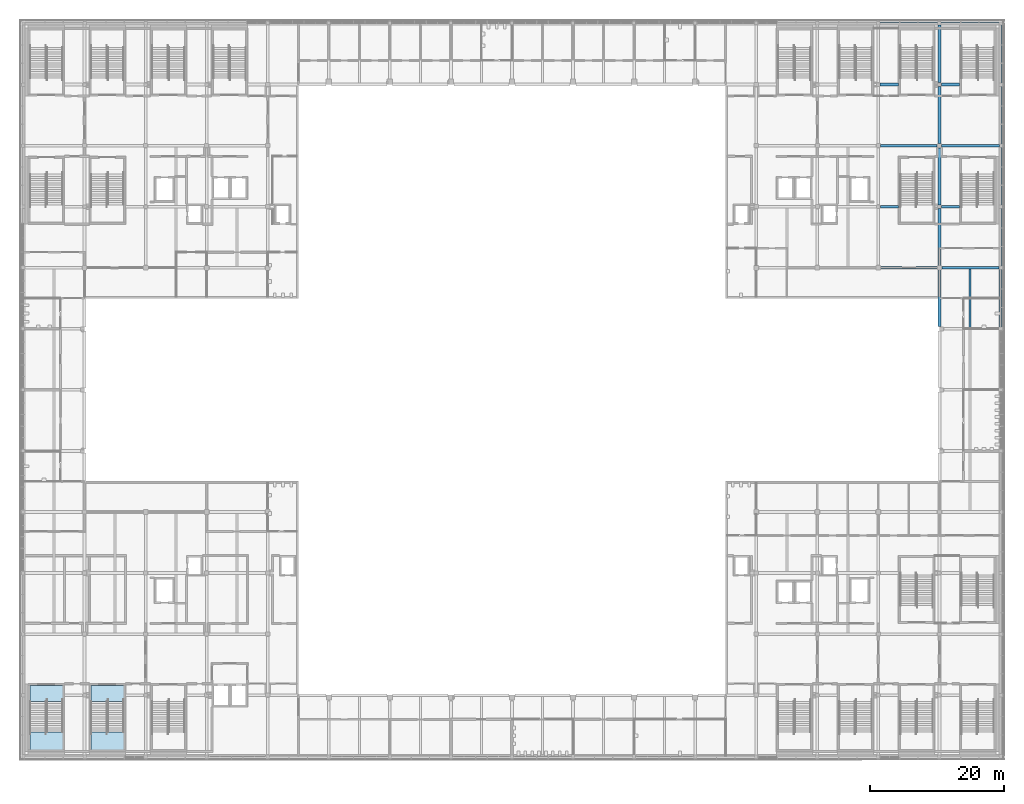
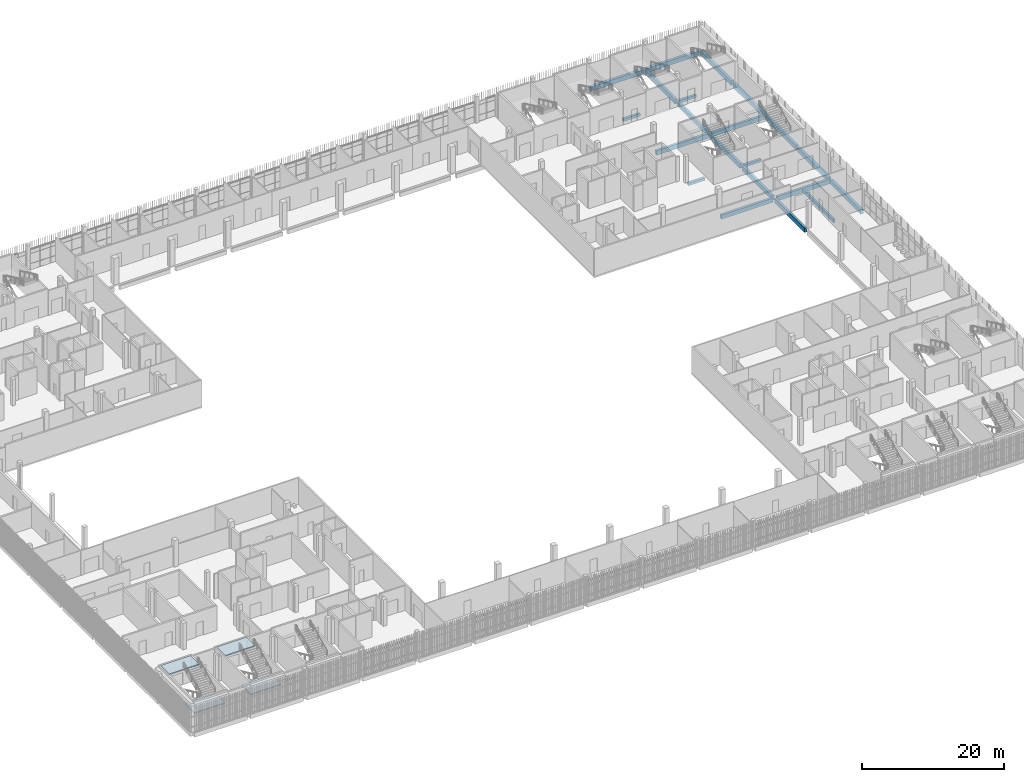
# One storey, part 56 of 124: 21 beams, 4 slabs, 2 elements without a shape of their own.
"""IFC4 building model written with IfcOpenShell, lengths in metres."""

from ifc_helpers import new_model, si_unit, direction, frame, origin, origin_2d, place, context, subcontext, project, spatial, polyline, rectangle, outline, extrude, material, layer, layer_set, material_profile, profile_set, type_object, element, aggregate, save


model = new_model("IFC4")

# Units and contexts
model_context = context("Model", 3, precision=1e-05, world=origin(), true_north=direction((0.0, 1.0)))
body_context = subcontext(model_context, "Body", "Model", "MODEL_VIEW")
ifc_project = project(units=[si_unit("LENGTHUNIT", "METRE"), si_unit("AREAUNIT", "SQUARE_METRE"), si_unit("VOLUMEUNIT", "CUBIC_METRE"), si_unit("PLANEANGLEUNIT", "RADIAN"), si_unit("MASSUNIT", "GRAM", prefix="KILO")], contexts=[model_context])

# Site, building, storey
site_placement = place(None, origin())
site = spatial("IfcSite", under=ifc_project, at=site_placement, CompositionType="ELEMENT")
building_placement = place(site_placement, origin())
building = spatial("IfcBuilding", under=site, at=building_placement, Name="Shirokan Park Arena", CompositionType="ELEMENT")
storey_placement = place(building_placement, frame((0.0, 0.0, 20.02001953125)))
storey = spatial("IfcBuildingStorey", under=building, at=storey_placement, Name="L04", CompositionType="ELEMENT", Elevation=20.02001953125)

# Beams
ifc_material_1 = material(Name="Concrete C35", Category="concrete")
ifc_material_profile_1 = material_profile(ifc_material_1, rectangle(XDim=0.39990234375, YDim=0.699951171875, at=origin_2d()), Name="400x700")
ifc_profile_set_1 = profile_set([ifc_material_profile_1], Name="Concrete C35")
beam_type_1 = type_object("IfcBeamType", Name="RC girder 400x700", PredefinedType="BEAM", material=ifc_profile_set_1)
beam_1_placement = place(storey_placement, frame((127.800048828125, 72.800048828125, -0.60009765625), z_axis=(1.0, 0.0, 0.0), x_axis=(0.0, 1.0, 0.0)))
element("IfcBeam", 1, at=beam_1_placement, inside=storey, type_object=beam_type_1, Name="Girder 15J-16J L04", PredefinedType="BEAM", context=body_context, shape_type="SweptSolid", body=[
    extrude(rectangle(XDim=0.39990234375, YDim=0.699951171875, at=origin_2d()), origin(), (0.0, 0.0, 1.0), 8.349853515625),
])
ifc_material_profile_2 = material_profile(ifc_material_1, rectangle(XDim=0.39990234375, YDim=0.75, at=origin_2d()), Name="400x750")
ifc_profile_set_2 = profile_set([ifc_material_profile_2], Name="Concrete C35")
beam_type_2 = type_object("IfcBeamType", Name="RC girder 400x750", PredefinedType="BEAM", material=ifc_profile_set_2)
beam_2_placement = place(storey_placement, frame((127.75, 91.0, -0.625), z_axis=(1.0, 0.0, 0.0), x_axis=(0.0, 1.0, 0.0)))
element("IfcBeam", 2, at=beam_2_placement, inside=storey, type_object=beam_type_2, Name="Girder 15L-16L L04", PredefinedType="BEAM", context=body_context, shape_type="SweptSolid", body=[
    extrude(rectangle(XDim=0.39990234375, YDim=0.75, at=origin_2d()), origin(), (0.0, 0.0, 1.0), 8.4248046875),
])
beam_3_placement = place(storey_placement, frame((136.85009765625, 72.800048828125, -0.625), z_axis=(1.0, 0.0, 0.0), x_axis=(0.0, 1.0, 0.0)))
element("IfcBeam", 3, at=beam_3_placement, inside=storey, type_object=beam_type_2, Name="Girder 16J-17J L04", PredefinedType="BEAM", context=body_context, shape_type="SweptSolid", body=[
    extrude(rectangle(XDim=0.39990234375, YDim=0.75, at=origin_2d()), origin(), (0.0, 0.0, 1.0), 8.52490234375),
])
beam_4_placement = place(storey_placement, frame((136.8251953125, 91.0, -0.625), z_axis=(1.0, 0.0, 0.0), x_axis=(0.0, 1.0, 0.0)))
element("IfcBeam", 4, at=beam_4_placement, inside=storey, type_object=beam_type_2, Name="Girder 16L-17L L04", PredefinedType="BEAM", context=body_context, shape_type="SweptSolid", body=[
    extrude(rectangle(XDim=0.39990234375, YDim=0.75, at=origin_2d()), origin(), (0.0, 0.0, 1.0), 8.599609375),
])
beam_5_placement = place(storey_placement, frame((136.5, 64.025146484375, -0.625), z_axis=(0.0, 1.0, 0.0), x_axis=(-1.0, 0.0, 0.0)))
element("IfcBeam", 5, at=beam_5_placement, inside=storey, type_object=beam_type_2, Name="Girder 16H-16J L04", PredefinedType="BEAM", context=body_context, shape_type="SweptSolid", body=[
    extrude(rectangle(XDim=0.39990234375, YDim=0.75, at=origin_2d()), origin(), (0.0, 0.0, 1.0), 8.4248046875),
])
beam_6_placement = place(storey_placement, frame((136.5, 73.150146484375, -0.625), z_axis=(0.0, 1.0, 0.0), x_axis=(-1.0, 0.0, 0.0)))
element("IfcBeam", 6, at=beam_6_placement, inside=storey, type_object=beam_type_2, Name="Girder 16J-16K L04", PredefinedType="BEAM", context=body_context, shape_type="SweptSolid", body=[
    extrude(rectangle(XDim=0.39990234375, YDim=0.75, at=origin_2d()), origin(), (0.0, 0.0, 1.0), 8.474853515625),
])
for number, where, z_axis, x_axis, name in (
    (7, (136.5, 82.175048828125, -0.625), (0.0, 1.0, 0.0), (-1.0, 0.0, 0.0), "Girder 16K-16L L04"),
    (8, (136.5, 91.3251953125, -0.625), (0.0, 1.0, 0.0), (-1.0, 0.0, 0.0), "Girder 16L-16M L04"),
):
    element("IfcBeam", number, at=place(storey_placement, frame(where, z_axis=z_axis, x_axis=x_axis)), inside=storey, type_object=beam_type_2, Name=name, PredefinedType="BEAM", context=body_context, shape_type="SweptSolid", body=[
        extrude(rectangle(XDim=0.39990234375, YDim=0.75, at=origin_2d()), origin(), (0.0, 0.0, 1.0), 8.499755859375),
    ])
beam_7_placement = place(storey_placement, frame((136.5, 100.375, -0.625), z_axis=(0.0, 1.0, 0.0), x_axis=(-1.0, 0.0, 0.0)))
element("IfcBeam", 9, at=beam_7_placement, inside=storey, type_object=beam_type_2, Name="Girder 16M-16N L04", PredefinedType="BEAM", context=body_context, shape_type="SweptSolid", body=[
    extrude(rectangle(XDim=0.39990234375, YDim=0.75, at=origin_2d()), origin(), (0.0, 0.0, 1.0), 8.599853515625),
])
ifc_material_profile_3 = material_profile(ifc_material_1, rectangle(XDim=0.449951171875, YDim=0.75, at=origin_2d()), Name="450x750")
ifc_profile_set_3 = profile_set([ifc_material_profile_3], Name="Concrete C35")
beam_type_3 = type_object("IfcBeamType", Name="RC girder 450x750", PredefinedType="BEAM", material=ifc_profile_set_3)
for number, where, z_axis, x_axis, name in (
    (10, (127.650146484375, 109.199951171875, -0.625), (1.0, 0.0, 0.0), (0.0, 1.0, 0.0), "Girder 15N-16N L04"),
    (11, (136.75, 109.199951171875, -0.625), (1.0, 0.0, 0.0), (0.0, 1.0, 0.0), "Girder 16N-17N L04"),
):
    element("IfcBeam", number, at=place(storey_placement, frame(where, z_axis=z_axis, x_axis=x_axis)), inside=storey, type_object=beam_type_3, Name=name, PredefinedType="BEAM", context=body_context, shape_type="SweptSolid", body=[
        extrude(rectangle(XDim=0.449951171875, YDim=0.75, at=origin_2d()), origin(), (0.0, 0.0, 1.0), 8.599853515625),
    ])
for number, where, z_axis, x_axis, name in (
    (12, (145.60009765625, 63.9501953125, -0.625), (0.0, 1.0, 0.0), (-1.0, 0.0, 0.0), "Girder 17H-17J L04"),
    (13, (145.60009765625, 73.0751953125, -0.625), (0.0, 1.0, 0.0), (-1.0, 0.0, 0.0), "Girder 17J-17K L04"),
):
    element("IfcBeam", number, at=place(storey_placement, frame(where, z_axis=z_axis, x_axis=x_axis)), inside=storey, type_object=beam_type_3, Name=name, PredefinedType="BEAM", context=body_context, shape_type="SweptSolid", body=[
        extrude(rectangle(XDim=0.449951171875, YDim=0.75, at=origin_2d()), origin(), (0.0, 0.0, 1.0), 8.57470703125),
    ])
for number, where, z_axis, x_axis, name in (
    (14, (145.60009765625, 82.150146484375, -0.625), (0.0, 1.0, 0.0), (-1.0, 0.0, 0.0), "Girder 17K-17L L04"),
    (15, (145.60009765625, 91.25, -0.625), (0.0, 1.0, 0.0), (-1.0, 0.0, 0.0), "Girder 17L-17M L04"),
    (16, (145.60009765625, 100.35009765625, -0.625), (0.0, 1.0, 0.0), (-1.0, 0.0, 0.0), "Girder 17M-17N L04"),
):
    element("IfcBeam", number, at=place(storey_placement, frame(where, z_axis=z_axis, x_axis=x_axis)), inside=storey, type_object=beam_type_3, Name=name, PredefinedType="BEAM", context=body_context, shape_type="SweptSolid", body=[
        extrude(rectangle(XDim=0.449951171875, YDim=0.75, at=origin_2d()), origin(), (0.0, 0.0, 1.0), 8.599853515625),
    ])
ifc_material_profile_4 = material_profile(ifc_material_1, rectangle(XDim=0.300048828125, YDim=0.60009765625, at=origin_2d()), Name="300x600")
ifc_profile_set_4 = profile_set([ifc_material_profile_4], Name="Concrete C35")
beam_type_4 = type_object("IfcBeamType", Name="RC joist 300x600", PredefinedType="JOIST", material=ifc_profile_set_4)
beam_8_placement = place(storey_placement, frame((141.050048828125, 63.89990234375, -0.550048828125), z_axis=(0.0, 1.0, 0.0), x_axis=(-1.0, 0.0, 0.0)))
element("IfcBeam", 17, at=beam_8_placement, inside=storey, type_object=beam_type_4, Name="Joist 17H L04", PredefinedType="JOIST", context=body_context, shape_type="SweptSolid", body=[
    extrude(rectangle(XDim=0.300048828125, YDim=0.60009765625, at=origin_2d()), origin(), (0.0, 0.0, 1.0), 8.7001953125),
])
ifc_material_profile_5 = material_profile(ifc_material_1, rectangle(XDim=0.39990234375, YDim=0.449951171875, at=origin_2d()), Name="400x450")
ifc_profile_set_5 = profile_set([ifc_material_profile_5], Name="Concrete C35")
beam_type_5 = type_object("IfcBeamType", Name="RC trimmer 400x450", PredefinedType="BEAM", material=ifc_profile_set_5)
beam_9_placement = place(storey_placement, frame((127.7001953125, 81.89990234375, -0.47509765625), z_axis=(1.0, 0.0, 0.0), x_axis=(0.0, 1.0, 0.0)))
element("IfcBeam", 18, at=beam_9_placement, inside=storey, type_object=beam_type_5, Name="Girder 15K-16K L04", PredefinedType="BEAM", context=body_context, shape_type="SweptSolid", body=[
    extrude(rectangle(XDim=0.39990234375, YDim=0.449951171875, at=origin_2d()), origin(), (0.0, 0.0, 1.0), 2.69970703125),
])
for number, where, z_axis, x_axis, name in (
    (19, (127.675048828125, 100.10009765625, -0.47509765625), (1.0, 0.0, 0.0), (0.0, 1.0, 0.0), "Girder 15M-16M L04"),
    (20, (136.775146484375, 81.89990234375, -0.47509765625), (1.0, 0.0, 0.0), (0.0, 1.0, 0.0), "Girder 16K-17K L04"),
    (21, (136.775146484375, 100.10009765625, -0.47509765625), (1.0, 0.0, 0.0), (0.0, 1.0, 0.0), "Girder 16M-17M L04"),
):
    element("IfcBeam", number, at=place(storey_placement, frame(where, z_axis=z_axis, x_axis=x_axis)), inside=storey, type_object=beam_type_5, Name=name, PredefinedType="BEAM", context=body_context, shape_type="SweptSolid", body=[
        extrude(rectangle(XDim=0.39990234375, YDim=0.449951171875, at=origin_2d()), origin(), (0.0, 0.0, 1.0), 2.724853515625),
    ])

# Stair, slabs
ifc_material_2 = material(Name="Concrete C30 precast", Category="concrete")
stair_type = type_object("IfcStairType", Name="Stair 30 risers 152 x 327 2400 wide", PredefinedType="TWO_STRAIGHT_RUN_STAIR", material=ifc_material_2)
stair_1_placement = place(storey_placement, origin())
stair_1 = element("IfcStair", 22, at=stair_1_placement, inside=storey, type_object=stair_type, Name="Exit Stair 1.A L04 to L05", PredefinedType="TWO_STRAIGHT_RUN_STAIR")
ifc_layer = layer(ifc_material_2, 0.199951171875)
ifc_layer_set = layer_set([ifc_layer], Name="Concrete C30 precast 200 mm")
slab_type = type_object("IfcSlabType", Name="Stair landing 200", PredefinedType="LANDING", material=ifc_layer_set)
slab_1_placement = place(storey_placement, frame((0.0, 0.0, 2.074951171875)))
slab_1 = element("IfcSlab", 23, at=slab_1_placement, type_object=slab_type, Name="ST01.5 landing 1", PredefinedType="LANDING", context=body_context, shape_type="SweptSolid", body=[
    extrude(outline(polyline([(0.949951171875, 0.949951171875), (5.85009765625, 0.949951171875), (5.85009765625, 3.576171875), (0.949951171875, 3.576171875), (0.949951171875, 0.949951171875)])), origin(), (0.0, 0.0, 1.0), 0.199951171875),
])
slab_2_placement = place(storey_placement, frame((0.0, 0.0, 4.35009765625)))
slab_2 = element("IfcSlab", 24, at=slab_2_placement, type_object=slab_type, Name="ST01.5 landing 2", PredefinedType="LANDING", context=body_context, shape_type="SweptSolid", body=[
    extrude(outline(polyline([(0.949951171875, 8.14990234375), (5.85009765625, 8.14990234375), (5.85009765625, 10.550048828125), (0.949951171875, 10.550048828125), (0.949951171875, 8.14990234375)])), origin(), (0.0, 0.0, 1.0), 0.199951171875),
])
aggregate(stair_1, [slab_1, slab_2])

stair_2_placement = place(storey_placement, origin())
stair_2 = element("IfcStair", 25, at=stair_2_placement, inside=storey, type_object=stair_type, Name="Exit Stair 1.B L04 to L05", PredefinedType="TWO_STRAIGHT_RUN_STAIR")
slab_3_placement = place(storey_placement, frame((0.0, 0.0, 2.074951171875)))
slab_3 = element("IfcSlab", 26, at=slab_3_placement, type_object=slab_type, Name="ST02.5 landing 1", PredefinedType="LANDING", context=body_context, shape_type="SweptSolid", body=[
    extrude(outline(polyline([(10.050048828125, 0.949951171875), (14.949951171875, 0.949951171875), (14.949951171875, 3.576171875), (10.050048828125, 3.576171875), (10.050048828125, 0.949951171875)])), origin(), (0.0, 0.0, 1.0), 0.199951171875),
])
slab_4_placement = place(storey_placement, frame((0.0, 0.0, 4.35009765625)))
slab_4 = element("IfcSlab", 27, at=slab_4_placement, type_object=slab_type, Name="ST02.5 landing 2", PredefinedType="LANDING", context=body_context, shape_type="SweptSolid", body=[
    extrude(outline(polyline([(10.050048828125, 8.14990234375), (14.949951171875, 8.14990234375), (14.949951171875, 10.550048828125), (10.050048828125, 10.550048828125), (10.050048828125, 8.14990234375)])), origin(), (0.0, 0.0, 1.0), 0.199951171875),
])
aggregate(stair_2, [slab_3, slab_4])

save(model, "model.ifc")
